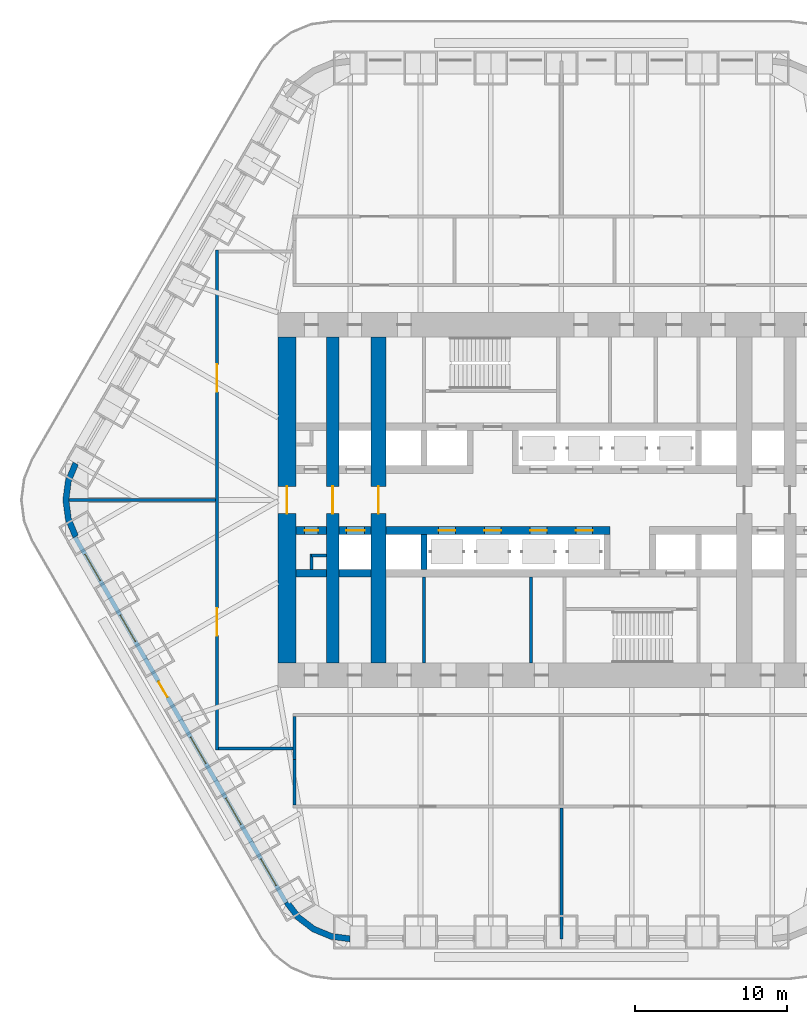
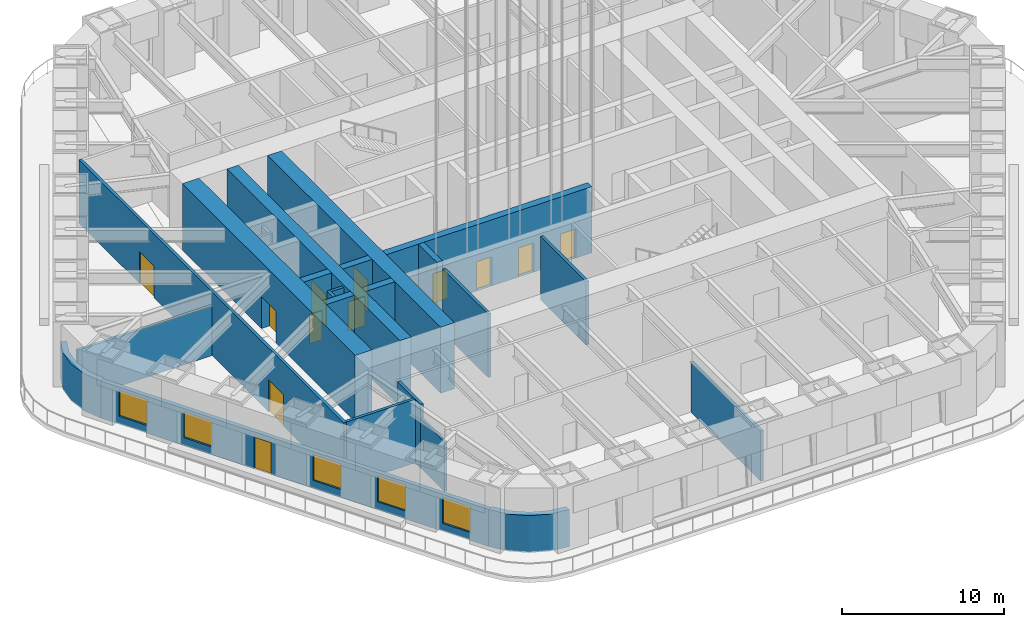
# One storey, part 7 of 15: 22 walls, 12 doors, 5 windows, 17 openings.
"""IFC4 building model written with IfcOpenShell, lengths in metres."""

from ifc_helpers import new_model, si_unit, direction, frame, frame_2d, origin, place, context, subcontext, project, spatial, polyline, rectangle, outline, extrude, material, layer, layer_set, type_object, element, fill, save


model = new_model("IFC4")

# Units and contexts
model_context = context("Model", 3, precision=1e-05, world=origin(), true_north=direction((0.0, 1.0)))
body_context = subcontext(model_context, "Body", "Model", "MODEL_VIEW")
ifc_project = project(units=[si_unit("LENGTHUNIT", "METRE"), si_unit("AREAUNIT", "SQUARE_METRE"), si_unit("VOLUMEUNIT", "CUBIC_METRE"), si_unit("PLANEANGLEUNIT", "RADIAN"), si_unit("MASSUNIT", "GRAM", prefix="KILO")], contexts=[model_context])

# Site, building, storey
site_placement = place(None, origin())
site = spatial("IfcSite", under=ifc_project, at=site_placement, CompositionType="ELEMENT")
building_placement = place(site_placement, origin())
building = spatial("IfcBuilding", under=site, at=building_placement, Name="Tarfa Lantern Tower", CompositionType="ELEMENT")
storey_placement = place(building_placement, frame((0.0, 0.0, 210.5)))
storey = spatial("IfcBuildingStorey", under=building, at=storey_placement, Name="L47", CompositionType="ELEMENT", Elevation=210.5)

# Wall, openings, door, windows
ifc_material_1 = material(Name="Limestone cladding on blockwork", Category="masonry")
ifc_layer_1 = layer(ifc_material_1, 0.300048828125)
ifc_layer_set_1 = layer_set([ifc_layer_1], Name="EW1 STONE-CLAD WALL 300")
wall_type_1 = type_object("IfcWallType", Name="EW1 STONE-CLAD WALL 300", PredefinedType="SOLIDWALL", material=ifc_layer_set_1)
wall_1_placement = place(storey_placement, frame((-31.9130859375, -2.425048828125, 0.0), z_axis=(0.0, 0.0, 1.0), x_axis=(0.500001051461, -0.866024796723, 0.0)))
wall_1 = element("IfcWall", 1, at=wall_1_placement, inside=storey, type_object=wall_type_1, Name="Stone wall SW", PredefinedType="SOLIDWALL", context=body_context, shape_type="SweptSolid", body=[
    extrude(rectangle(XDim=27.712890625, YDim=0.300048828125, at=frame_2d((13.8564453125, 0.0))), origin(), (0.0, 0.0, 1.0), 2.800048828125),
])
opening_1_placement = place(wall_1_placement, frame((1.309326171875, 0.0, 0.60009765625)))
opening_1 = element("IfcOpeningElement", 2, at=opening_1_placement, cuts=wall_1, Name="Opening W11", PredefinedType="OPENING", context=body_context, shape_type="SweptSolid", body=[
    extrude(rectangle(XDim=2.0, YDim=1.949951171875, at=frame_2d((1.0, 0.97509765625))), frame((0.0, 0.159912109375, 0.0), z_axis=(0.0, -1.0, 0.0), x_axis=(1.0, 0.0, 0.0)), (0.0, 0.0, 1.0), 0.320068359375),
])
opening_2_placement = place(wall_1_placement, frame((5.92822265625, 0.0, 0.60009765625)))
opening_2 = element("IfcOpeningElement", 3, at=opening_2_placement, cuts=wall_1, Name="Opening W11", PredefinedType="OPENING", context=body_context, shape_type="SweptSolid", body=[
    extrude(rectangle(XDim=2.0, YDim=1.949951171875, at=frame_2d((1.0, 0.97509765625))), frame((0.0, 0.159912109375, 0.0), z_axis=(0.0, -1.0, 0.0), x_axis=(1.0, 0.0, 0.0)), (0.0, 0.0, 1.0), 0.320068359375),
])
opening_3_placement = place(wall_1_placement, frame((10.947021484375, 0.0, 0.0)))
opening_3 = element("IfcOpeningElement", 4, at=opening_3_placement, cuts=wall_1, Name="Opening D51", PredefinedType="OPENING", context=body_context, shape_type="SweptSolid", body=[
    extrude(rectangle(XDim=1.199951171875, YDim=2.39990234375, at=frame_2d((0.60009765625, 1.199951171875))), frame((0.0, 0.159912109375, 0.0), z_axis=(0.0, -1.0, 0.0), x_axis=(1.0, 0.0, 0.0)), (0.0, 0.0, 1.0), 0.320068359375),
])
opening_4_placement = place(wall_1_placement, frame((15.165771484375, 0.0, 0.60009765625)))
opening_4 = element("IfcOpeningElement", 5, at=opening_4_placement, cuts=wall_1, Name="Opening W11", PredefinedType="OPENING", context=body_context, shape_type="SweptSolid", body=[
    extrude(rectangle(XDim=2.0, YDim=1.949951171875, at=frame_2d((1.0, 0.97509765625))), frame((0.0, 0.159912109375, 0.0), z_axis=(0.0, -1.0, 0.0), x_axis=(1.0, 0.0, 0.0)), (0.0, 0.0, 1.0), 0.320068359375),
])
opening_5_placement = place(wall_1_placement, frame((19.78466796875, 0.0, 0.60009765625)))
opening_5 = element("IfcOpeningElement", 6, at=opening_5_placement, cuts=wall_1, Name="Opening W11", PredefinedType="OPENING", context=body_context, shape_type="SweptSolid", body=[
    extrude(rectangle(XDim=2.0, YDim=1.949951171875, at=frame_2d((1.0, 0.97509765625))), frame((0.0, 0.159912109375, 0.0), z_axis=(0.0, -1.0, 0.0), x_axis=(1.0, 0.0, 0.0)), (0.0, 0.0, 1.0), 0.320068359375),
])
opening_6_placement = place(wall_1_placement, frame((24.4033203125, 0.0, 0.60009765625)))
opening_6 = element("IfcOpeningElement", 7, at=opening_6_placement, cuts=wall_1, Name="Opening W11", PredefinedType="OPENING", context=body_context, shape_type="SweptSolid", body=[
    extrude(rectangle(XDim=2.0, YDim=1.949951171875, at=frame_2d((1.0, 0.97509765625))), frame((0.0, 0.159912109375, 0.0), z_axis=(0.0, -1.0, 0.0), x_axis=(1.0, 0.0, 0.0)), (0.0, 0.0, 1.0), 0.320068359375),
])
ifc_material_2 = material(Name="Aluminium framed glazed door", Category="aluminium")
door_type_1 = type_object("IfcDoorType", Name="BE3 BALCONY DOOR 1200x2400", OperationType="SINGLE_SWING_RIGHT", PredefinedType="DOOR", material=ifc_material_2)
door_1_placement = place(opening_3_placement, origin())
door_1 = element("IfcDoor", 8, at=door_1_placement, inside=storey, type_object=door_type_1, Name="Balcony door SW", OperationType="SINGLE_SWING_RIGHT", OverallHeight=2.39990234375, OverallWidth=1.199951171875, PredefinedType="DOOR", context=body_context, shape_type="SweptSolid", body=[
    extrude(rectangle(XDim=1.199951171875, YDim=2.39990234375, at=frame_2d((0.60009765625, 1.199951171875))), frame((0.0, 0.02490234375, 0.0), z_axis=(0.0, -1.0, 0.0), x_axis=(1.0, 0.0, 0.0)), (0.0, 0.0, 1.0), 0.050048828125),
])
fill(opening_3, door_1)
ifc_material_3 = material(Name="Aluminium frame, double glazed", Category="aluminium")
window_type = type_object("IfcWindowType", Name="W11 FULL-HEIGHT GLAZING 2000x1950", PartitioningType="SINGLE_PANEL", PredefinedType="WINDOW", material=ifc_material_3)
window_1_placement = place(opening_1_placement, origin())
window_1 = element("IfcWindow", 9, at=window_1_placement, inside=storey, type_object=window_type, Name="Window SW 1", OverallHeight=1.949951171875, OverallWidth=2.0, PartitioningType="SINGLE_PANEL", PredefinedType="WINDOW", context=body_context, shape_type="SweptSolid", body=[
    extrude(rectangle(XDim=2.0, YDim=1.949951171875, at=frame_2d((1.0, 0.97509765625))), frame((0.0, 0.030029296875, 0.0), z_axis=(0.0, -1.0, 0.0), x_axis=(1.0, 0.0, 0.0)), (0.0, 0.0, 1.0), 0.06005859375),
])
fill(opening_1, window_1)
window_2_placement = place(opening_2_placement, origin())
window_2 = element("IfcWindow", 10, at=window_2_placement, inside=storey, type_object=window_type, Name="Window SW 2", OverallHeight=1.949951171875, OverallWidth=2.0, PartitioningType="SINGLE_PANEL", PredefinedType="WINDOW", context=body_context, shape_type="SweptSolid", body=[
    extrude(rectangle(XDim=2.0, YDim=1.949951171875, at=frame_2d((1.0, 0.97509765625))), frame((0.0, 0.030029296875, 0.0), z_axis=(0.0, -1.0, 0.0), x_axis=(1.0, 0.0, 0.0)), (0.0, 0.0, 1.0), 0.06005859375),
])
fill(opening_2, window_2)
window_3_placement = place(opening_4_placement, origin())
window_3 = element("IfcWindow", 11, at=window_3_placement, inside=storey, type_object=window_type, Name="Window SW 4", OverallHeight=1.949951171875, OverallWidth=2.0, PartitioningType="SINGLE_PANEL", PredefinedType="WINDOW", context=body_context, shape_type="SweptSolid", body=[
    extrude(rectangle(XDim=2.0, YDim=1.949951171875, at=frame_2d((1.0, 0.97509765625))), frame((0.0, 0.030029296875, 0.0), z_axis=(0.0, -1.0, 0.0), x_axis=(1.0, 0.0, 0.0)), (0.0, 0.0, 1.0), 0.06005859375),
])
fill(opening_4, window_3)
window_4_placement = place(opening_5_placement, origin())
window_4 = element("IfcWindow", 12, at=window_4_placement, inside=storey, type_object=window_type, Name="Window SW 5", OverallHeight=1.949951171875, OverallWidth=2.0, PartitioningType="SINGLE_PANEL", PredefinedType="WINDOW", context=body_context, shape_type="SweptSolid", body=[
    extrude(rectangle(XDim=2.0, YDim=1.949951171875, at=frame_2d((1.0, 0.97509765625))), frame((0.0, 0.030029296875, 0.0), z_axis=(0.0, -1.0, 0.0), x_axis=(1.0, 0.0, 0.0)), (0.0, 0.0, 1.0), 0.06005859375),
])
fill(opening_5, window_4)
window_5_placement = place(opening_6_placement, origin())
window_5 = element("IfcWindow", 13, at=window_5_placement, inside=storey, type_object=window_type, Name="Window SW 6", OverallHeight=1.949951171875, OverallWidth=2.0, PartitioningType="SINGLE_PANEL", PredefinedType="WINDOW", context=body_context, shape_type="SweptSolid", body=[
    extrude(rectangle(XDim=2.0, YDim=1.949951171875, at=frame_2d((1.0, 0.97509765625))), frame((0.0, 0.030029296875, 0.0), z_axis=(0.0, -1.0, 0.0), x_axis=(1.0, 0.0, 0.0)), (0.0, 0.0, 1.0), 0.06005859375),
])
fill(opening_6, window_5)

# Walls
ifc_layer_2 = layer(ifc_material_1, 0.39990234375)
ifc_layer_set_2 = layer_set([ifc_layer_2], Name="EW2 CURVED STONE CORNER 400")
wall_type_2 = type_object("IfcWallType", Name="EW2 CURVED STONE CORNER 400", PredefinedType="SOLIDWALL", material=ifc_layer_set_2)
wall_2_placement = place(storey_placement, origin())
element("IfcWall", 14, at=wall_2_placement, inside=storey, type_object=wall_type_2, Name="Stone corner NW-SW", PredefinedType="SOLIDWALL", context=body_context, shape_type="SweptSolid", body=[
    extrude(outline(polyline([(-32.04296875, 2.5), (-32.54248046875, 1.294189453125), (-32.712890625, 0.0), (-32.54248046875, -1.294189453125), (-32.04296875, -2.5), (-31.696533203125, -2.300048828125), (-32.156005859375, -1.190673828125), (-32.312744140625, 0.0), (-32.156005859375, 1.190673828125), (-31.696533203125, 2.300048828125), (-32.04296875, 2.5)])), origin(), (0.0, 0.0, 1.0), 2.800048828125),
])
wall_3_placement = place(storey_placement, origin())
element("IfcWall", 15, at=wall_3_placement, inside=storey, type_object=wall_type_2, Name="Stone corner SW-S", PredefinedType="SOLIDWALL", context=body_context, shape_type="SweptSolid", body=[
    extrude(outline(polyline([(-18.1865234375, -26.5), (-17.391845703125, -27.53564453125), (-16.3564453125, -28.330078125), (-15.150390625, -28.82958984375), (-13.8564453125, -29.0), (-13.8564453125, -28.60009765625), (-15.046875, -28.443359375), (-16.156494140625, -27.983642578125), (-17.109130859375, -27.252685546875), (-17.840087890625, -26.300048828125), (-18.1865234375, -26.5)])), origin(), (0.0, 0.0, 1.0), 2.800048828125),
])
ifc_material_4 = material(Name="Concrete blockwork", Category="masonry")
ifc_layer_3 = layer(ifc_material_4, 0.199951171875)
ifc_layer_set_3 = layer_set([ifc_layer_3], Name="IW1 BLOCKWORK PARTITION 200 EI 120")
wall_type_3 = type_object("IfcWallType", Name="IW1 BLOCKWORK PARTITION 200 EI 120", PredefinedType="PARTITIONING", material=ifc_layer_set_3)
for number, where, z_axis, x_axis, name in (
    (16, (-9.0, -5.050048828125, 0.0), (0.0, 0.0, 1.0), (0.0, -1.0, 0.0), "Core partition"),
    (17, (-2.0, -5.050048828125, 0.0), (0.0, 0.0, 1.0), (0.0, -1.0, 0.0), "Core partition"),
):
    element("IfcWall", number, at=place(storey_placement, frame(where, z_axis=z_axis, x_axis=x_axis)), inside=storey, type_object=wall_type_3, Name=name, PredefinedType="PARTITIONING", context=body_context, shape_type="SweptSolid", body=[
        extrude(rectangle(XDim=5.64990234375, YDim=0.199951171875, at=frame_2d((2.824951171875, 0.0))), origin(), (0.0, 0.0, 1.0), 4.800048828125),
    ])
for number, where, z_axis, x_axis, name in (
    (18, (-15.39990234375, -3.64990234375, 0.0), (0.0, 0.0, 1.0), (-1.0, 0.0, 0.0), "Core partition"),
    (19, (-16.39990234375, -3.550048828125, 0.0), (0.0, 0.0, 1.0), (0.0, -1.0, 0.0), "Core partition"),
):
    element("IfcWall", number, at=place(storey_placement, frame(where, z_axis=z_axis, x_axis=x_axis)), inside=storey, type_object=wall_type_3, Name=name, PredefinedType="PARTITIONING", context=body_context, shape_type="SweptSolid", body=[
        extrude(rectangle(XDim=1.0, YDim=0.199951171875, at=frame_2d((0.5, 0.0))), origin(), (0.0, 0.0, 1.0), 4.800048828125),
    ])
ifc_material_5 = material(Name="Gypsum board on steel studs", Category="steel")
ifc_layer_4 = layer(ifc_material_5, 0.2099609375)
ifc_layer_set_4 = layer_set([ifc_layer_4], Name="IW2 ACOUSTIC PARTITION 200")
wall_type_4 = type_object("IfcWallType", Name="IW2 ACOUSTIC PARTITION 200", PredefinedType="PARTITIONING", material=ifc_layer_set_4)
wall_4_placement = place(storey_placement, frame((-17.5, -14.199951171875, 0.0), z_axis=(0.0, 0.0, 1.0), x_axis=(0.0, -1.0, 0.0)))
element("IfcWall", 20, at=wall_4_placement, inside=storey, type_object=wall_type_4, Name="Partition", PredefinedType="PARTITIONING", context=body_context, shape_type="SweptSolid", body=[
    extrude(rectangle(XDim=2.84423828125, YDim=0.199951171875, at=frame_2d((1.422119140625, 0.0))), origin(), (0.0, 0.0, 1.0), 4.800048828125),
])
wall_5_placement = place(storey_placement, frame((-17.5, -17.044189453125, 0.0), z_axis=(0.0, 0.0, 1.0), x_axis=(0.0, -1.0, 0.0)))
element("IfcWall", 21, at=wall_5_placement, inside=storey, type_object=wall_type_4, Name="Partition", PredefinedType="PARTITIONING", context=body_context, shape_type="SweptSolid", body=[
    extrude(rectangle(XDim=2.955810546875, YDim=0.199951171875, at=frame_2d((1.47802734375, 0.0))), origin(), (0.0, 0.0, 1.0), 3.743896484375),
])

# Wall, openings, doors
wall_6_placement = place(storey_placement, frame((-22.60009765625, -16.39990234375, 0.0), z_axis=(0.0, 0.0, 1.0), x_axis=(0.0, 1.0, 0.0)))
wall_6 = element("IfcWall", 22, at=wall_6_placement, inside=storey, type_object=wall_type_4, Name="Partition", PredefinedType="PARTITIONING", context=body_context, shape_type="SweptSolid", body=[
    extrude(rectangle(XDim=32.7998046875, YDim=0.199951171875, at=frame_2d((16.39990234375, 0.0))), origin(), (0.0, 0.0, 1.0), 4.800048828125),
])
opening_7_placement = place(wall_6_placement, frame((23.5, 0.0, 0.0)))
opening_7 = element("IfcOpeningElement", 23, at=opening_7_placement, cuts=wall_6, Name="Opening D46", PredefinedType="OPENING", context=body_context, shape_type="SweptSolid", body=[
    extrude(rectangle(XDim=1.800048828125, YDim=2.39990234375, at=frame_2d((0.89990234375, 1.199951171875))), frame((0.0, 0.10986328125, 0.0), z_axis=(0.0, -1.0, 0.0), x_axis=(1.0, 0.0, 0.0)), (0.0, 0.0, 1.0), 0.219970703125),
])
opening_8_placement = place(wall_6_placement, frame((7.5, 0.0, 0.0)))
opening_8 = element("IfcOpeningElement", 24, at=opening_8_placement, cuts=wall_6, Name="Opening D48", PredefinedType="OPENING", context=body_context, shape_type="SweptSolid", body=[
    extrude(rectangle(XDim=1.800048828125, YDim=2.39990234375, at=frame_2d((0.89990234375, 1.199951171875))), frame((0.0, 0.10986328125, 0.0), z_axis=(0.0, -1.0, 0.0), x_axis=(1.0, 0.0, 0.0)), (0.0, 0.0, 1.0), 0.219970703125),
])
ifc_material_6 = material(Name="Timber door", Category="wood")
door_type_2 = type_object("IfcDoorType", Name="DR2 ROOM DOOR 1800x2400", OperationType="DOUBLE_DOOR_SINGLE_SWING", PredefinedType="DOOR", material=ifc_material_6)
door_2_placement = place(opening_7_placement, origin())
door_2 = element("IfcDoor", 25, at=door_2_placement, inside=storey, type_object=door_type_2, Name="Business centre door", OperationType="DOUBLE_DOOR_SINGLE_SWING", OverallHeight=2.39990234375, OverallWidth=1.800048828125, PredefinedType="DOOR", context=body_context, shape_type="SweptSolid", body=[
    extrude(rectangle(XDim=1.800048828125, YDim=2.39990234375, at=frame_2d((0.89990234375, 1.199951171875))), frame((0.0, 0.02490234375, 0.0), z_axis=(0.0, -1.0, 0.0), x_axis=(1.0, 0.0, 0.0)), (0.0, 0.0, 1.0), 0.050048828125),
])
fill(opening_7, door_2)
door_3_placement = place(opening_8_placement, origin())
door_3 = element("IfcDoor", 26, at=door_3_placement, inside=storey, type_object=door_type_2, Name="Touchdown workplace door", OperationType="DOUBLE_DOOR_SINGLE_SWING", OverallHeight=2.39990234375, OverallWidth=1.800048828125, PredefinedType="DOOR", context=body_context, shape_type="SweptSolid", body=[
    extrude(rectangle(XDim=1.800048828125, YDim=2.39990234375, at=frame_2d((0.89990234375, 1.199951171875))), frame((0.0, 0.02490234375, 0.0), z_axis=(0.0, -1.0, 0.0), x_axis=(1.0, 0.0, 0.0)), (0.0, 0.0, 1.0), 0.050048828125),
])
fill(opening_8, door_3)

# Walls
wall_7_placement = place(storey_placement, frame((-17.60009765625, -16.300048828125, 0.0), z_axis=(0.0, 0.0, 1.0), x_axis=(-1.0, 0.0, 0.0)))
element("IfcWall", 27, at=wall_7_placement, inside=storey, type_object=wall_type_4, Name="Partition", PredefinedType="PARTITIONING", context=body_context, shape_type="SweptSolid", body=[
    extrude(rectangle(XDim=4.89990234375, YDim=0.199951171875, at=frame_2d((2.449951171875, 0.0))), origin(), (0.0, 0.0, 1.0), 4.800048828125),
])
wall_8_placement = place(storey_placement, frame((-22.699951171875, 0.0, 0.0), z_axis=(0.0, 0.0, 1.0), x_axis=(-1.0, 0.0, 0.0)))
element("IfcWall", 28, at=wall_8_placement, inside=storey, type_object=wall_type_4, Name="Partition", PredefinedType="PARTITIONING", context=body_context, shape_type="SweptSolid", body=[
    extrude(rectangle(XDim=9.599853515625, YDim=0.199951171875, at=frame_2d((4.7998046875, 0.0))), origin(), (0.0, 0.0, 1.0), 3.743896484375),
])
wall_9_placement = place(storey_placement, frame((0.0, -20.199951171875, 0.0), z_axis=(0.0, 0.0, 1.0), x_axis=(0.0, -1.0, 0.0)))
element("IfcWall", 29, at=wall_9_placement, inside=storey, type_object=wall_type_4, Name="Partition", PredefinedType="PARTITIONING", context=body_context, shape_type="SweptSolid", body=[
    extrude(rectangle(XDim=8.610107421875, YDim=0.199951171875, at=frame_2d((4.30517578125, 0.0))), origin(), (0.0, 0.0, 1.0), 3.7919921875),
])

# Wall, opening, door
ifc_material_7 = material(Name="Concrete C80/95", Category="concrete")
ifc_layer_5 = layer(ifc_material_7, 1.199951171875)
ifc_layer_set_5 = layer_set([ifc_layer_5], Name="SW1 CORE WALL 1200")
wall_type_5 = type_object("IfcWallType", Name="SW1 CORE WALL 1200", PredefinedType="SHEAR", material=ifc_layer_set_5)
wall_10_placement = place(storey_placement, frame((-18.0, 10.699951171875, 0.0), z_axis=(0.0, 0.0, 1.0), x_axis=(0.0, -1.0, 0.0)))
wall_10 = element("IfcWall", 30, at=wall_10_placement, inside=storey, type_object=wall_type_5, Name="Core wall W", PredefinedType="SHEAR", context=body_context, shape_type="SweptSolid", body=[
    extrude(rectangle(XDim=21.39990234375, YDim=1.199951171875, at=frame_2d((10.699951171875, 0.0))), origin(), (0.0, 0.0, 1.0), 5.0),
])
opening_9_placement = place(wall_10_placement, frame((9.800048828125, 0.0, 0.0)))
opening_9 = element("IfcOpeningElement", 31, at=opening_9_placement, cuts=wall_10, Name="Opening D16", PredefinedType="OPENING", context=body_context, shape_type="SweptSolid", body=[
    extrude(rectangle(XDim=1.800048828125, YDim=2.39990234375, at=frame_2d((0.89990234375, 1.199951171875))), frame((0.0, 0.60986328125, 0.0), z_axis=(0.0, -1.0, 0.0), x_axis=(1.0, 0.0, 0.0)), (0.0, 0.0, 1.0), 1.219970703125),
])
ifc_material_8 = material(Name="Steel fire door", Category="steel")
door_type_3 = type_object("IfcDoorType", Name="DL1 LOBBY DOOR 1800x2400", OperationType="DOUBLE_DOOR_SINGLE_SWING", PredefinedType="DOOR", material=ifc_material_8)
door_4_placement = place(opening_9_placement, origin())
door_4 = element("IfcDoor", 32, at=door_4_placement, inside=storey, type_object=door_type_3, Name="Lift lobby door", OperationType="DOUBLE_DOOR_SINGLE_SWING", OverallHeight=2.39990234375, OverallWidth=1.800048828125, PredefinedType="DOOR", context=body_context, shape_type="SweptSolid", body=[
    extrude(rectangle(XDim=1.800048828125, YDim=2.39990234375, at=frame_2d((0.89990234375, 1.199951171875))), frame((0.0, 0.02490234375, 0.0), z_axis=(0.0, -1.0, 0.0), x_axis=(1.0, 0.0, 0.0)), (0.0, 0.0, 1.0), 0.050048828125),
])
fill(opening_9, door_4)

ifc_layer_6 = layer(ifc_material_7, 0.800048828125)
ifc_layer_set_6 = layer_set([ifc_layer_6], Name="SW10 CORE WALL 800")
wall_type_6 = type_object("IfcWallType", Name="SW10 CORE WALL 800", PredefinedType="SHEAR", material=ifc_layer_set_6)
wall_11_placement = place(storey_placement, frame((-15.0, -10.699951171875, 0.0), z_axis=(0.0, 0.0, 1.0), x_axis=(0.0, 1.0, 0.0)))
wall_11 = element("IfcWall", 33, at=wall_11_placement, inside=storey, type_object=wall_type_6, Name="Core wall cross 15 m west", PredefinedType="SHEAR", context=body_context, shape_type="SweptSolid", body=[
    extrude(rectangle(XDim=21.39990234375, YDim=0.800048828125, at=frame_2d((10.699951171875, 0.0))), origin(), (0.0, 0.0, 1.0), 5.0),
])
opening_10_placement = place(wall_11_placement, frame((9.800048828125, 0.0, 0.0)))
opening_10 = element("IfcOpeningElement", 34, at=opening_10_placement, cuts=wall_11, Name="Opening D32", PredefinedType="OPENING", context=body_context, shape_type="SweptSolid", body=[
    extrude(rectangle(XDim=1.800048828125, YDim=2.39990234375, at=frame_2d((0.89990234375, 1.199951171875))), frame((0.0, 0.409912109375, 0.0), z_axis=(0.0, -1.0, 0.0), x_axis=(1.0, 0.0, 0.0)), (0.0, 0.0, 1.0), 0.820068359375),
])
door_5_placement = place(opening_10_placement, origin())
door_5 = element("IfcDoor", 35, at=door_5_placement, inside=storey, type_object=door_type_3, Name="Lift lobby door", OperationType="DOUBLE_DOOR_SINGLE_SWING", OverallHeight=2.39990234375, OverallWidth=1.800048828125, PredefinedType="DOOR", context=body_context, shape_type="SweptSolid", body=[
    extrude(rectangle(XDim=1.800048828125, YDim=2.39990234375, at=frame_2d((0.89990234375, 1.199951171875))), frame((0.0, 0.02490234375, 0.0), z_axis=(0.0, -1.0, 0.0), x_axis=(1.0, 0.0, 0.0)), (0.0, 0.0, 1.0), 0.050048828125),
])
fill(opening_10, door_5)

ifc_layer_7 = layer(ifc_material_7, 1.0)
ifc_layer_set_7 = layer_set([ifc_layer_7], Name="SW2 CORE WALL 1000")
wall_type_7 = type_object("IfcWallType", Name="SW2 CORE WALL 1000", PredefinedType="SHEAR", material=ifc_layer_set_7)
wall_12_placement = place(storey_placement, frame((-12.0, -10.699951171875, 0.0), z_axis=(0.0, 0.0, 1.0), x_axis=(0.0, 1.0, 0.0)))
wall_12 = element("IfcWall", 36, at=wall_12_placement, inside=storey, type_object=wall_type_7, Name="Core wall cross 12 m west", PredefinedType="SHEAR", context=body_context, shape_type="SweptSolid", body=[
    extrude(rectangle(XDim=21.39990234375, YDim=1.0, at=frame_2d((10.699951171875, 0.0))), origin(), (0.0, 0.0, 1.0), 5.0),
])
opening_11_placement = place(wall_12_placement, frame((9.800048828125, 0.0, 0.0)))
opening_11 = element("IfcOpeningElement", 37, at=opening_11_placement, cuts=wall_12, Name="Opening D31", PredefinedType="OPENING", context=body_context, shape_type="SweptSolid", body=[
    extrude(rectangle(XDim=1.800048828125, YDim=2.39990234375, at=frame_2d((0.89990234375, 1.199951171875))), frame((0.0, 0.510009765625, 0.0), z_axis=(0.0, -1.0, 0.0), x_axis=(1.0, 0.0, 0.0)), (0.0, 0.0, 1.0), 1.02001953125),
])
door_6_placement = place(opening_11_placement, origin())
door_6 = element("IfcDoor", 38, at=door_6_placement, inside=storey, type_object=door_type_3, Name="Lift lobby door", OperationType="DOUBLE_DOOR_SINGLE_SWING", OverallHeight=2.39990234375, OverallWidth=1.800048828125, PredefinedType="DOOR", context=body_context, shape_type="SweptSolid", body=[
    extrude(rectangle(XDim=1.800048828125, YDim=2.39990234375, at=frame_2d((0.89990234375, 1.199951171875))), frame((0.0, 0.02490234375, 0.0), z_axis=(0.0, -1.0, 0.0), x_axis=(1.0, 0.0, 0.0)), (0.0, 0.0, 1.0), 0.050048828125),
])
fill(opening_11, door_6)

# Wall, openings, doors
ifc_layer_8 = layer(ifc_material_7, 0.5)
ifc_layer_set_8 = layer_set([ifc_layer_8], Name="SW5 CORE WALL 500")
wall_type_8 = type_object("IfcWallType", Name="SW5 CORE WALL 500", PredefinedType="SHEAR", material=ifc_layer_set_8)
wall_13_placement = place(storey_placement, frame((3.199951171875, -2.0, 0.0), z_axis=(0.0, 0.0, 1.0), x_axis=(-1.0, 0.0, 0.0)))
wall_13 = element("IfcWall", 39, at=wall_13_placement, inside=storey, type_object=wall_type_8, Name="Core wall lobby east S", PredefinedType="SHEAR", context=body_context, shape_type="SweptSolid", body=[
    extrude(rectangle(XDim=14.699951171875, YDim=0.5, at=frame_2d((7.35009765625, 0.0))), origin(), (0.0, 0.0, 1.0), 5.0),
])
opening_12_placement = place(wall_13_placement, frame((1.14990234375, 0.0, 0.0)))
opening_12 = element("IfcOpeningElement", 40, at=opening_12_placement, cuts=wall_13, Name="Opening LD07", PredefinedType="OPENING", context=body_context, shape_type="SweptSolid", body=[
    extrude(rectangle(XDim=1.10009765625, YDim=2.199951171875, at=frame_2d((0.550048828125, 1.10009765625))), frame((0.0, 0.260009765625, 0.0), z_axis=(0.0, -1.0, 0.0), x_axis=(1.0, 0.0, 0.0)), (0.0, 0.0, 1.0), 0.52001953125),
])
opening_13_placement = place(wall_13_placement, frame((4.14990234375, 0.0, 0.0)))
opening_13 = element("IfcOpeningElement", 41, at=opening_13_placement, cuts=wall_13, Name="Opening LD08", PredefinedType="OPENING", context=body_context, shape_type="SweptSolid", body=[
    extrude(rectangle(XDim=1.10009765625, YDim=2.199951171875, at=frame_2d((0.550048828125, 1.10009765625))), frame((0.0, 0.260009765625, 0.0), z_axis=(0.0, -1.0, 0.0), x_axis=(1.0, 0.0, 0.0)), (0.0, 0.0, 1.0), 0.52001953125),
])
opening_14_placement = place(wall_13_placement, frame((7.14990234375, 0.0, 0.0)))
opening_14 = element("IfcOpeningElement", 42, at=opening_14_placement, cuts=wall_13, Name="Opening LD09", PredefinedType="OPENING", context=body_context, shape_type="SweptSolid", body=[
    extrude(rectangle(XDim=1.10009765625, YDim=2.199951171875, at=frame_2d((0.550048828125, 1.10009765625))), frame((0.0, 0.260009765625, 0.0), z_axis=(0.0, -1.0, 0.0), x_axis=(1.0, 0.0, 0.0)), (0.0, 0.0, 1.0), 0.52001953125),
])
opening_15_placement = place(wall_13_placement, frame((10.14990234375, 0.0, 0.0)))
opening_15 = element("IfcOpeningElement", 43, at=opening_15_placement, cuts=wall_13, Name="Opening LD10", PredefinedType="OPENING", context=body_context, shape_type="SweptSolid", body=[
    extrude(rectangle(XDim=1.10009765625, YDim=2.199951171875, at=frame_2d((0.550048828125, 1.10009765625))), frame((0.0, 0.260009765625, 0.0), z_axis=(0.0, -1.0, 0.0), x_axis=(1.0, 0.0, 0.0)), (0.0, 0.0, 1.0), 0.52001953125),
])
ifc_material_9 = material(Name="Stainless steel lift door", Category="steel")
door_type_4 = type_object("IfcDoorType", Name="LD2 LIFT LANDING DOOR 1100x2200", OperationType="SLIDING_TO_LEFT", PredefinedType="DOOR", material=ifc_material_9)
door_7_placement = place(opening_12_placement, frame((1.10009765625, 0.0, 0.0), z_axis=(0.0, 0.0, 1.0), x_axis=(-1.0, 0.0, 0.0)))
door_7 = element("IfcDoor", 44, at=door_7_placement, inside=storey, type_object=door_type_4, Name="Landing door PC5", OperationType="SLIDING_TO_LEFT", OverallHeight=2.199951171875, OverallWidth=1.10009765625, PredefinedType="DOOR", context=body_context, shape_type="SweptSolid", body=[
    extrude(rectangle(XDim=1.10009765625, YDim=2.199951171875, at=frame_2d((0.550048828125, 1.10009765625))), frame((0.0, 0.02490234375, 0.0), z_axis=(0.0, -1.0, 0.0), x_axis=(1.0, 0.0, 0.0)), (0.0, 0.0, 1.0), 0.050048828125),
])
fill(opening_12, door_7)
door_8_placement = place(opening_13_placement, frame((1.10009765625, 0.0, 0.0), z_axis=(0.0, 0.0, 1.0), x_axis=(-1.0, 0.0, 0.0)))
door_8 = element("IfcDoor", 45, at=door_8_placement, inside=storey, type_object=door_type_4, Name="Landing door PC6", OperationType="SLIDING_TO_LEFT", OverallHeight=2.199951171875, OverallWidth=1.10009765625, PredefinedType="DOOR", context=body_context, shape_type="SweptSolid", body=[
    extrude(rectangle(XDim=1.10009765625, YDim=2.199951171875, at=frame_2d((0.550048828125, 1.10009765625))), frame((0.0, 0.02490234375, 0.0), z_axis=(0.0, -1.0, 0.0), x_axis=(1.0, 0.0, 0.0)), (0.0, 0.0, 1.0), 0.050048828125),
])
fill(opening_13, door_8)
door_9_placement = place(opening_14_placement, frame((1.10009765625, 0.0, 0.0), z_axis=(0.0, 0.0, 1.0), x_axis=(-1.0, 0.0, 0.0)))
door_9 = element("IfcDoor", 46, at=door_9_placement, inside=storey, type_object=door_type_4, Name="Landing door PC7", OperationType="SLIDING_TO_LEFT", OverallHeight=2.199951171875, OverallWidth=1.10009765625, PredefinedType="DOOR", context=body_context, shape_type="SweptSolid", body=[
    extrude(rectangle(XDim=1.10009765625, YDim=2.199951171875, at=frame_2d((0.550048828125, 1.10009765625))), frame((0.0, 0.02490234375, 0.0), z_axis=(0.0, -1.0, 0.0), x_axis=(1.0, 0.0, 0.0)), (0.0, 0.0, 1.0), 0.050048828125),
])
fill(opening_14, door_9)
door_10_placement = place(opening_15_placement, frame((1.10009765625, 0.0, 0.0), z_axis=(0.0, 0.0, 1.0), x_axis=(-1.0, 0.0, 0.0)))
door_10 = element("IfcDoor", 47, at=door_10_placement, inside=storey, type_object=door_type_4, Name="Landing door PC8", OperationType="SLIDING_TO_LEFT", OverallHeight=2.199951171875, OverallWidth=1.10009765625, PredefinedType="DOOR", context=body_context, shape_type="SweptSolid", body=[
    extrude(rectangle(XDim=1.10009765625, YDim=2.199951171875, at=frame_2d((0.550048828125, 1.10009765625))), frame((0.0, 0.02490234375, 0.0), z_axis=(0.0, -1.0, 0.0), x_axis=(1.0, 0.0, 0.0)), (0.0, 0.0, 1.0), 0.050048828125),
])
fill(opening_15, door_10)

# Wall, opening, door
wall_14_placement = place(storey_placement, frame((-12.5, -2.0, 0.0), z_axis=(0.0, 0.0, 1.0), x_axis=(-1.0, 0.0, 0.0)))
wall_14 = element("IfcWall", 48, at=wall_14_placement, inside=storey, type_object=wall_type_8, Name="Core wall lobby east S", PredefinedType="SHEAR", context=body_context, shape_type="SweptSolid", body=[
    extrude(rectangle(XDim=2.10009765625, YDim=0.5, at=frame_2d((1.050048828125, 0.0))), origin(), (0.0, 0.0, 1.0), 5.0),
])
opening_16_placement = place(wall_14_placement, frame((0.39990234375, 0.0, 0.0)))
opening_16 = element("IfcOpeningElement", 49, at=opening_16_placement, cuts=wall_14, Name="Opening LD14", PredefinedType="OPENING", context=body_context, shape_type="SweptSolid", body=[
    extrude(rectangle(XDim=1.199951171875, YDim=2.199951171875, at=frame_2d((0.60009765625, 1.10009765625))), frame((0.0, 0.260009765625, 0.0), z_axis=(0.0, -1.0, 0.0), x_axis=(1.0, 0.0, 0.0)), (0.0, 0.0, 1.0), 0.52001953125),
])
door_type_5 = type_object("IfcDoorType", Name="LD1 LIFT LANDING DOOR 1200x2200", OperationType="SLIDING_TO_LEFT", PredefinedType="DOOR", material=ifc_material_9)
door_11_placement = place(opening_16_placement, frame((1.199951171875, 0.0, 0.0), z_axis=(0.0, 0.0, 1.0), x_axis=(-1.0, 0.0, 0.0)))
door_11 = element("IfcDoor", 50, at=door_11_placement, inside=storey, type_object=door_type_5, Name="Landing door S8", OperationType="SLIDING_TO_LEFT", OverallHeight=2.199951171875, OverallWidth=1.199951171875, PredefinedType="DOOR", context=body_context, shape_type="SweptSolid", body=[
    extrude(rectangle(XDim=1.199951171875, YDim=2.199951171875, at=frame_2d((0.60009765625, 1.10009765625))), frame((0.0, 0.02490234375, 0.0), z_axis=(0.0, -1.0, 0.0), x_axis=(1.0, 0.0, 0.0)), (0.0, 0.0, 1.0), 0.050048828125),
])
fill(opening_16, door_11)

wall_15_placement = place(storey_placement, frame((-15.39990234375, -2.0, 0.0), z_axis=(0.0, 0.0, 1.0), x_axis=(-1.0, 0.0, 0.0)))
wall_15 = element("IfcWall", 51, at=wall_15_placement, inside=storey, type_object=wall_type_8, Name="Core wall lobby east S", PredefinedType="SHEAR", context=body_context, shape_type="SweptSolid", body=[
    extrude(rectangle(XDim=2.0, YDim=0.5, at=frame_2d((1.0, 0.0))), origin(), (0.0, 0.0, 1.0), 5.0),
])
opening_17_placement = place(wall_15_placement, frame((0.550048828125, 0.0, 0.0)))
opening_17 = element("IfcOpeningElement", 52, at=opening_17_placement, cuts=wall_15, Name="Opening D18", PredefinedType="OPENING", context=body_context, shape_type="SweptSolid", body=[
    extrude(rectangle(XDim=0.89990234375, YDim=2.199951171875, at=frame_2d((0.449951171875, 1.10009765625))), frame((0.0, 0.260009765625, 0.0), z_axis=(0.0, -1.0, 0.0), x_axis=(1.0, 0.0, 0.0)), (0.0, 0.0, 1.0), 0.52001953125),
])
door_type_6 = type_object("IfcDoorType", Name="DF6 SERVICE ROOM DOOR 900x2200", OperationType="SINGLE_SWING_LEFT", PredefinedType="DOOR", material=ifc_material_8)
door_12_placement = place(opening_17_placement, origin())
door_12 = element("IfcDoor", 53, at=door_12_placement, inside=storey, type_object=door_type_6, Name="Service room door", OperationType="SINGLE_SWING_LEFT", OverallHeight=2.199951171875, OverallWidth=0.89990234375, PredefinedType="DOOR", context=body_context, shape_type="SweptSolid", body=[
    extrude(rectangle(XDim=0.89990234375, YDim=2.199951171875, at=frame_2d((0.449951171875, 1.10009765625))), frame((0.0, 0.02490234375, 0.0), z_axis=(0.0, -1.0, 0.0), x_axis=(1.0, 0.0, 0.0)), (0.0, 0.0, 1.0), 0.050048828125),
])
fill(opening_17, door_12)

# Walls
wall_16_placement = place(storey_placement, frame((-12.5, -4.800048828125, 0.0), z_axis=(0.0, 0.0, 1.0), x_axis=(-1.0, 0.0, 0.0)))
element("IfcWall", 54, at=wall_16_placement, inside=storey, type_object=wall_type_8, Name="Core wall rear S", PredefinedType="SHEAR", context=body_context, shape_type="SweptSolid", body=[
    extrude(rectangle(XDim=2.10009765625, YDim=0.5, at=frame_2d((1.050048828125, 0.0))), origin(), (0.0, 0.0, 1.0), 5.0),
])
wall_17_placement = place(storey_placement, frame((-15.39990234375, -4.800048828125, 0.0), z_axis=(0.0, 0.0, 1.0), x_axis=(-1.0, 0.0, 0.0)))
element("IfcWall", 55, at=wall_17_placement, inside=storey, type_object=wall_type_8, Name="Core wall rear S", PredefinedType="SHEAR", context=body_context, shape_type="SweptSolid", body=[
    extrude(rectangle(XDim=2.0, YDim=0.5, at=frame_2d((1.0, 0.0))), origin(), (0.0, 0.0, 1.0), 5.0),
])
ifc_layer_9 = layer(ifc_material_7, 0.39990234375)
ifc_layer_set_9 = layer_set([ifc_layer_9], Name="SW6 CORE WALL 400")
wall_type_9 = type_object("IfcWallType", Name="SW6 CORE WALL 400", PredefinedType="SHEAR", material=ifc_layer_set_9)
wall_18_placement = place(storey_placement, frame((-9.0, -2.25, 0.0), z_axis=(0.0, 0.0, 1.0), x_axis=(0.0, -1.0, 0.0)))
element("IfcWall", 56, at=wall_18_placement, inside=storey, type_object=wall_type_9, Name="Core wall divider S", PredefinedType="SHEAR", context=body_context, shape_type="SweptSolid", body=[
    extrude(rectangle(XDim=2.300048828125, YDim=0.39990234375, at=frame_2d((1.14990234375, 0.0))), origin(), (0.0, 0.0, 1.0), 5.0),
])

save(model, "model.ifc")
